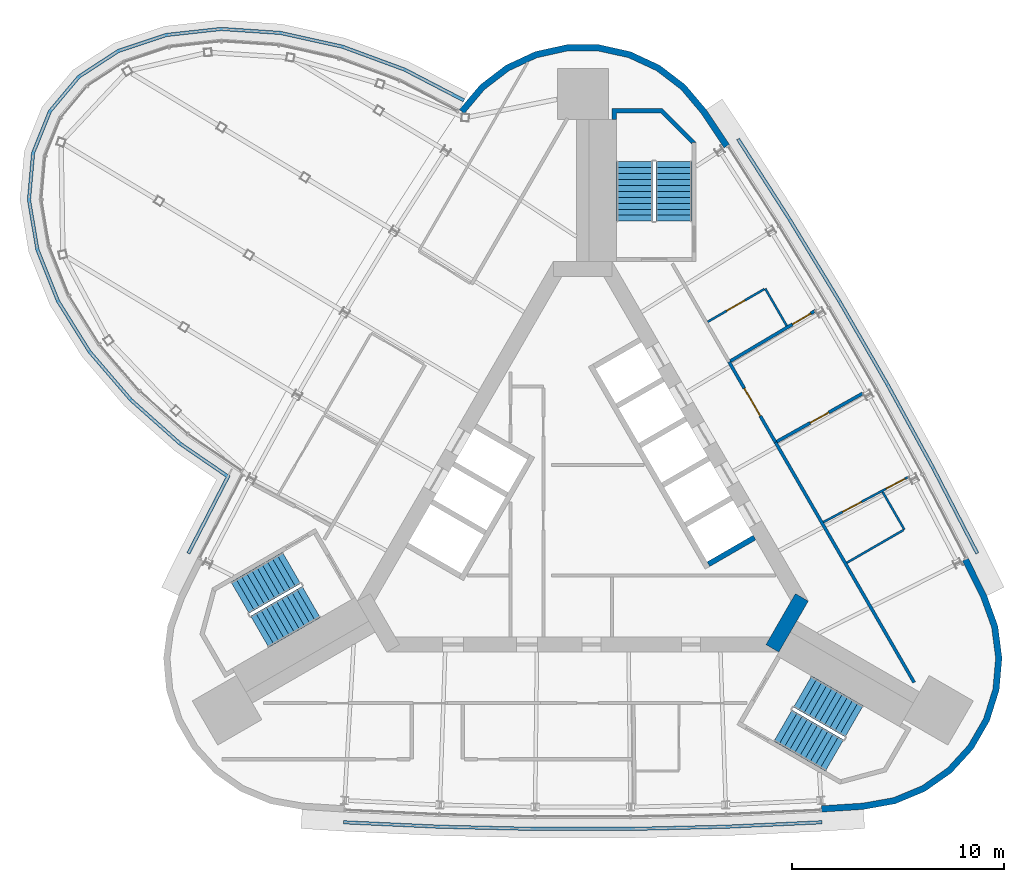
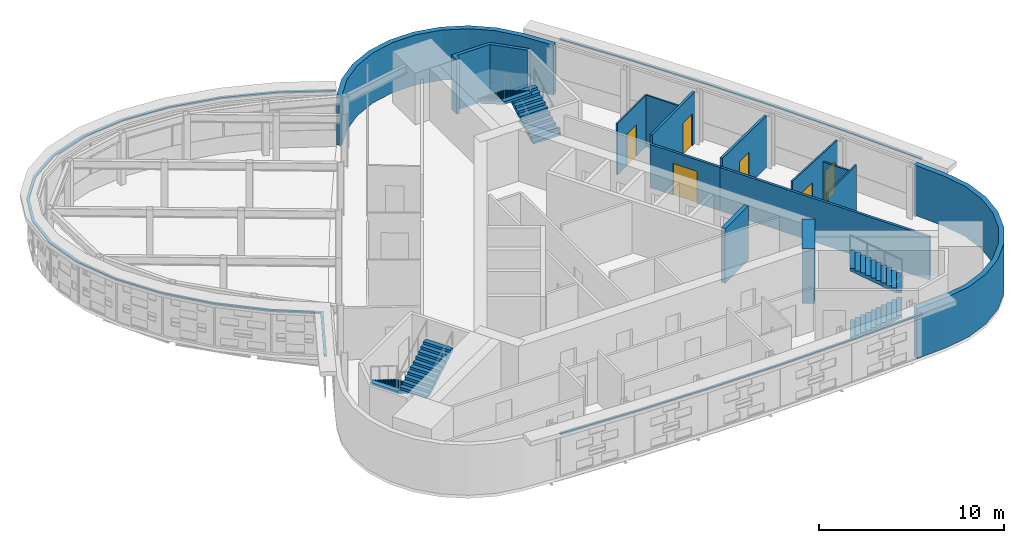
# One storey, part 11 of 13: 14 walls, 6 doors, 6 stair flights, 3 discrete accessories, 6 openings, 3 elements without a shape of their own.
"""IFC4 building model written with IfcOpenShell, lengths in metres."""

from ifc_helpers import new_model, si_unit, direction, frame, frame_2d, origin, place, context, subcontext, project, spatial, polyline, rectangle, outline, extrude, material, layer, layer_set, type_object, element, fill, aggregate, save


model = new_model("IFC4")

# Units and contexts
model_context = context("Model", 3, precision=1e-05, world=origin(), true_north=direction((0.0, 1.0)))
body_context = subcontext(model_context, "Body", "Model", "MODEL_VIEW")
ifc_project = project(units=[si_unit("LENGTHUNIT", "METRE"), si_unit("AREAUNIT", "SQUARE_METRE"), si_unit("VOLUMEUNIT", "CUBIC_METRE"), si_unit("PLANEANGLEUNIT", "RADIAN"), si_unit("MASSUNIT", "GRAM", prefix="KILO")], contexts=[model_context])

# Site, building, storey
site_placement = place(None, origin())
site = spatial("IfcSite", under=ifc_project, at=site_placement, CompositionType="ELEMENT")
building_placement = place(site_placement, origin())
building = spatial("IfcBuilding", under=site, at=building_placement, Name="Noor Cloister Tower", CompositionType="ELEMENT")
storey_placement = place(building_placement, frame((0.0, 0.0, 270.60009765625)))
storey = spatial("IfcBuildingStorey", under=building, at=storey_placement, Name="L69", CompositionType="ELEMENT", Elevation=270.60009765625)

# Walls
ifc_material_1 = material(Name="Concrete C60/75", Category="concrete")
ifc_layer_1 = layer(ifc_material_1, 0.699951171875)
ifc_layer_set_1 = layer_set([ifc_layer_1], Name="Core wall 700 C60/75")
wall_type_1 = type_object("IfcWallType", Name="Core wall 700 C60/75", PredefinedType="SHEAR", material=ifc_layer_set_1)
wall_1_placement = place(storey_placement, frame((8.925537109375, -6.753173828125, -0.2001953125), z_axis=(0.0, 0.0, 1.0), x_axis=(0.500042739161, 0.866000726912, 0.0)))
element("IfcWall", 1, at=wall_1_placement, inside=storey, type_object=wall_type_1, Name="Core wall L69 2", PredefinedType="SHEAR", context=body_context, shape_type="SweptSolid", body=[
    extrude(rectangle(XDim=2.771240234375, YDim=0.699951171875, at=frame_2d((1.3857421875, 0.0))), origin(), (0.0, 0.0, 1.0), 3.60009765625),
])
ifc_material_2 = material(Name="Gypsum board partition on steel studs, 150 mm", Category="steel")
ifc_layer_2 = layer(ifc_material_2, 0.14990234375)
ifc_layer_set_2 = layer_set([ifc_layer_2], Name="Flat wall 150")
wall_type_2 = type_object("IfcWallType", Name="Flat wall 150", PredefinedType="PARTITIONING", material=ifc_layer_set_2)
wall_2_placement = place(storey_placement, frame((15.59619140625, -8.356689453125, 0.0), z_axis=(0.0, 0.0, 1.0), x_axis=(-0.500010741103, 0.866019202317, 0.0)))
element("IfcWall", 2, at=wall_2_placement, inside=storey, type_object=wall_type_2, Name="Wall L69-W01", PredefinedType="PARTITIONING", context=body_context, shape_type="SweptSolid", body=[
    extrude(rectangle(XDim=13.048583984375, YDim=0.14990234375, at=frame_2d((6.5244140625, 0.0))), origin(), (0.0, 0.0, 1.0), 2.851806640625),
])

# Wall, opening, door
wall_3_placement = place(storey_placement, frame((13.208984375, 5.2685546875, 0.0), z_axis=(0.0, 0.0, 1.0), x_axis=(-0.871762529681, -0.489928659953, 0.0)))
wall_3 = element("IfcWall", 3, at=wall_3_placement, inside=storey, type_object=wall_type_2, Name="Wall L69-W03", PredefinedType="PARTITIONING", context=body_context, shape_type="SweptSolid", body=[
    extrude(rectangle(XDim=4.670654296875, YDim=0.14990234375, at=frame_2d((2.33544921875, 0.0))), origin(), (0.0, 0.0, 1.0), 3.39990234375),
])
opening_1_placement = place(wall_3_placement, frame((1.872802734375, 0.0, 0.0)))
opening_1 = element("IfcOpeningElement", 4, at=opening_1_placement, cuts=wall_3, Name="Opening L69-004", PredefinedType="OPENING", context=body_context, shape_type="SweptSolid", body=[
    extrude(rectangle(XDim=1.0, YDim=2.10009765625, at=frame_2d((0.5, 1.050048828125))), frame((0.0, 0.0849609375, 0.0), z_axis=(0.0, -1.0, 0.0), x_axis=(1.0, 0.0, 0.0)), (0.0, 0.0, 1.0), 0.169921875),
])
ifc_material_3 = material(Name="Timber door leaf with steel frame", Category="steel")
door_type_1 = type_object("IfcDoorType", Name="Flat entrance door 1000", OperationType="NOTDEFINED", PredefinedType="DOOR", material=ifc_material_3)
door_1_placement = place(opening_1_placement, origin())
door_1 = element("IfcDoor", 5, at=door_1_placement, inside=storey, type_object=door_type_1, Name="Door L69-004", OperationType="SINGLE_SWING_RIGHT", OverallHeight=2.10009765625, OverallWidth=1.0, PredefinedType="DOOR", context=body_context, shape_type="SweptSolid", body=[
    extrude(rectangle(XDim=1.0, YDim=2.10009765625, at=frame_2d((0.5, 1.050048828125))), frame((0.0, 0.02490234375, 0.0), z_axis=(0.0, -1.0, 0.0), x_axis=(1.0, 0.0, 0.0)), (0.0, 0.0, 1.0), 0.050048828125),
])
fill(opening_1, door_1)

wall_4_placement = place(storey_placement, frame((10.963134765625, 9.149169921875, 0.0), z_axis=(0.0, 0.0, 1.0), x_axis=(-0.860158922337, -0.510026105532, 0.0)))
wall_4 = element("IfcWall", 6, at=wall_4_placement, inside=storey, type_object=wall_type_2, Name="Wall L69-W04", PredefinedType="PARTITIONING", context=body_context, shape_type="SweptSolid", body=[
    extrude(rectangle(XDim=4.666259765625, YDim=0.14990234375, at=frame_2d((2.3330078125, 0.0))), origin(), (0.0, 0.0, 1.0), 3.39990234375),
])
opening_2_placement = place(wall_4_placement, frame((0.270263671875, 0.0, 0.0)))
opening_2 = element("IfcOpeningElement", 7, at=opening_2_placement, cuts=wall_4, Name="Opening L69-006", PredefinedType="OPENING", context=body_context, shape_type="SweptSolid", body=[
    extrude(rectangle(XDim=1.0, YDim=2.10009765625, at=frame_2d((0.5, 1.050048828125))), frame((0.0, 0.0849609375, 0.0), z_axis=(0.0, -1.0, 0.0), x_axis=(1.0, 0.0, 0.0)), (0.0, 0.0, 1.0), 0.169921875),
])
door_2_placement = place(opening_2_placement, origin())
door_2 = element("IfcDoor", 8, at=door_2_placement, inside=storey, type_object=door_type_1, Name="Door L69-006", OperationType="SINGLE_SWING_RIGHT", OverallHeight=2.10009765625, OverallWidth=1.0, PredefinedType="DOOR", context=body_context, shape_type="SweptSolid", body=[
    extrude(rectangle(XDim=1.0, YDim=2.10009765625, at=frame_2d((0.5, 1.050048828125))), frame((0.0, 0.02490234375, 0.0), z_axis=(0.0, -1.0, 0.0), x_axis=(1.0, 0.0, 0.0)), (0.0, 0.0, 1.0), 0.050048828125),
])
fill(opening_2, door_2)

wall_5_placement = place(storey_placement, frame((9.07177734375, 2.943603515625, 0.0), z_axis=(0.0, 0.0, 1.0), x_axis=(-0.499999494409, 0.866025695687, 0.0)))
wall_5 = element("IfcWall", 9, at=wall_5_placement, inside=storey, type_object=wall_type_2, Name="Wall L69-W05", PredefinedType="PARTITIONING", context=body_context, shape_type="SweptSolid", body=[
    extrude(rectangle(XDim=4.37353515625, YDim=0.14990234375, at=frame_2d((2.186767578125, 0.0))), origin(), (0.0, 0.0, 1.0), 2.851806640625),
])
opening_3_placement = place(wall_5_placement, frame((1.436767578125, 0.0, 0.0)))
opening_3 = element("IfcOpeningElement", 10, at=opening_3_placement, cuts=wall_5, Name="Opening L69-001", PredefinedType="OPENING", context=body_context, shape_type="SweptSolid", body=[
    extrude(rectangle(XDim=1.5, YDim=2.10009765625, at=frame_2d((0.75, 1.050048828125))), frame((0.0, 0.0849609375, 0.0), z_axis=(0.0, -1.0, 0.0), x_axis=(1.0, 0.0, 0.0)), (0.0, 0.0, 1.0), 0.169921875),
])
ifc_material_4 = material(Name="Timber door leaf with steel frame", Category="steel")
door_type_2 = type_object("IfcDoorType", Name="Double door 1500 FD60", OperationType="NOTDEFINED", PredefinedType="DOOR", material=ifc_material_4)
door_3_placement = place(opening_3_placement, origin())
door_3 = element("IfcDoor", 11, at=door_3_placement, inside=storey, type_object=door_type_2, Name="Door L69-001", OperationType="DOUBLE_DOOR_SINGLE_SWING", OverallHeight=2.10009765625, OverallWidth=1.5, PredefinedType="DOOR", context=body_context, shape_type="SweptSolid", body=[
    extrude(rectangle(XDim=1.5, YDim=2.10009765625, at=frame_2d((0.75, 1.050048828125))), frame((0.0, 0.02490234375, 0.0), z_axis=(0.0, -1.0, 0.0), x_axis=(1.0, 0.0, 0.0)), (0.0, 0.0, 1.0), 0.050048828125),
])
fill(opening_3, door_3)

# Walls
ifc_material_5 = material(Name="Limestone", Category="masonry")
ifc_layer_3 = layer(ifc_material_5, 0.300048828125)
ifc_layer_set_3 = layer_set([ifc_layer_3], Name="Limestone cladding 300")
wall_type_3 = type_object("IfcWallType", Name="Limestone cladding 300", PredefinedType="NOTDEFINED", material=ifc_layer_set_3)
wall_6_placement = place(storey_placement, origin())
element("IfcWall", 12, at=wall_6_placement, inside=storey, type_object=wall_type_3, Name="Limestone pier cladding L69 2.1", PredefinedType="NOTDEFINED", context=body_context, shape_type="SweptSolid", body=[
    extrude(outline(polyline([(11.24365234375, -14.46044921875), (13.21142578125, -14.336181640625), (14.707763671875, -14.068603515625), (16.11083984375, -13.484619140625), (17.35498046875, -12.611083984375), (18.381103515625, -11.489990234375), (19.14111328125, -10.173583984375), (19.59912109375, -8.724365234375), (19.7333984375, -7.210205078125), (19.53759765625, -5.702880859375), (19.021240234375, -4.2734375), (18.14501953125, -2.507080078125), (17.876220703125, -2.640380859375), (18.744873046875, -4.391357421875), (19.244384765625, -5.77392578125), (19.431640625, -7.21630859375), (19.30322265625, -8.6650390625), (18.864990234375, -10.052001953125), (18.1376953125, -11.3115234375), (17.15576171875, -12.384521484375), (15.96533203125, -13.22021484375), (14.62255859375, -13.779052734375), (13.175537109375, -14.037841796875), (11.224853515625, -14.1611328125), (11.24365234375, -14.46044921875)])), origin(), (0.0, 0.0, 1.0), 3.2998046875),
])
wall_7_placement = place(storey_placement, origin())
element("IfcWall", 13, at=wall_7_placement, inside=storey, type_object=wall_type_3, Name="Limestone pier cladding L69 3.1", PredefinedType="NOTDEFINED", context=body_context, shape_type="SweptSolid", body=[
    extrude(outline(polyline([(6.9013671875, 16.967529296875), (5.809814453125, 18.609619140625), (4.830078125, 19.771484375), (3.62255859375, 20.69482421875), (2.244140625, 21.33544921875), (0.760009765625, 21.66357421875), (-0.760009765625, 21.66357421875), (-2.244140625, 21.33544921875), (-3.62255859375, 20.69482421875), (-4.830078125, 19.771484375), (-5.809814453125, 18.609619140625), (-5.580322265625, 18.416259765625), (-4.621826171875, 19.55322265625), (-3.46630859375, 20.4365234375), (-2.1474609375, 21.049560546875), (-0.727294921875, 21.363525390625), (0.727294921875, 21.363525390625), (2.1474609375, 21.049560546875), (3.46630859375, 20.4365234375), (4.621826171875, 19.55322265625), (5.5693359375, 18.42919921875), (6.6513671875, 16.801513671875), (6.9013671875, 16.967529296875)])), origin(), (0.0, 0.0, 1.0), 3.2998046875),
])

# Wall, openings, doors
ifc_material_6 = material(Name="Gypsum board partition on steel studs, 100 mm", Category="steel")
ifc_layer_4 = layer(ifc_material_6, 0.10009765625)
ifc_layer_set_4 = layer_set([ifc_layer_4], Name="Partition 100")
wall_type_4 = type_object("IfcWallType", Name="Partition 100", PredefinedType="PARTITIONING", material=ifc_layer_set_4)
wall_8_placement = place(storey_placement, frame((15.364013671875, 1.3369140625, 0.0), z_axis=(0.0, 0.0, 1.0), x_axis=(-0.882891694615, -0.469576676997, 0.0)))
wall_8 = element("IfcWall", 14, at=wall_8_placement, inside=storey, type_object=wall_type_4, Name="Wall L69-W06", PredefinedType="PARTITIONING", context=body_context, shape_type="SweptSolid", body=[
    extrude(rectangle(XDim=4.57373046875, YDim=0.10009765625, at=frame_2d((2.286865234375, 0.0))), origin(), (0.0, 0.0, 1.0), 3.39990234375),
])
opening_4_placement = place(wall_8_placement, frame((0.223388671875, 0.0, 0.0)))
opening_4 = element("IfcOpeningElement", 15, at=opening_4_placement, cuts=wall_8, Name="Opening L69-002", PredefinedType="OPENING", context=body_context, shape_type="SweptSolid", body=[
    extrude(rectangle(XDim=1.0, YDim=2.10009765625, at=frame_2d((0.5, 1.050048828125))), frame((0.0, 0.06005859375, 0.0), z_axis=(0.0, -1.0, 0.0), x_axis=(1.0, 0.0, 0.0)), (0.0, 0.0, 1.0), 0.1201171875),
])
opening_5_placement = place(wall_8_placement, frame((2.5478515625, 0.0, 0.0)))
opening_5 = element("IfcOpeningElement", 16, at=opening_5_placement, cuts=wall_8, Name="Opening L69-003", PredefinedType="OPENING", context=body_context, shape_type="SweptSolid", body=[
    extrude(rectangle(XDim=1.0, YDim=2.10009765625, at=frame_2d((0.5, 1.050048828125))), frame((0.0, 0.06005859375, 0.0), z_axis=(0.0, -1.0, 0.0), x_axis=(1.0, 0.0, 0.0)), (0.0, 0.0, 1.0), 0.1201171875),
])
ifc_material_7 = material(Name="Timber door leaf with steel frame", Category="steel")
door_type_3 = type_object("IfcDoorType", Name="Interior door 1000", OperationType="NOTDEFINED", PredefinedType="DOOR", material=ifc_material_7)
door_4_placement = place(opening_4_placement, origin())
door_4 = element("IfcDoor", 17, at=door_4_placement, inside=storey, type_object=door_type_3, Name="Door L69-002", OperationType="SINGLE_SWING_RIGHT", OverallHeight=2.10009765625, OverallWidth=1.0, PredefinedType="DOOR", context=body_context, shape_type="SweptSolid", body=[
    extrude(rectangle(XDim=1.0, YDim=2.10009765625, at=frame_2d((0.5, 1.050048828125))), frame((0.0, 0.02490234375, 0.0), z_axis=(0.0, -1.0, 0.0), x_axis=(1.0, 0.0, 0.0)), (0.0, 0.0, 1.0), 0.050048828125),
])
fill(opening_4, door_4)
door_5_placement = place(opening_5_placement, origin())
door_5 = element("IfcDoor", 18, at=door_5_placement, inside=storey, type_object=door_type_3, Name="Door L69-003", OperationType="SINGLE_SWING_LEFT", OverallHeight=2.10009765625, OverallWidth=1.0, PredefinedType="DOOR", context=body_context, shape_type="SweptSolid", body=[
    extrude(rectangle(XDim=1.0, YDim=2.10009765625, at=frame_2d((0.5, 1.050048828125))), frame((0.0, 0.02490234375, 0.0), z_axis=(0.0, -1.0, 0.0), x_axis=(1.0, 0.0, 0.0)), (0.0, 0.0, 1.0), 0.050048828125),
])
fill(opening_5, door_5)

# Walls
wall_9_placement = place(storey_placement, frame((14.11181640625, 0.614013671875, 0.0), z_axis=(0.0, 0.0, 1.0), x_axis=(0.500007699544, -0.866020958405, 0.0)))
element("IfcWall", 19, at=wall_9_placement, inside=storey, type_object=wall_type_4, Name="Wall L69-W07", PredefinedType="PARTITIONING", context=body_context, shape_type="SweptSolid", body=[
    extrude(rectangle(XDim=2.0498046875, YDim=0.10009765625, at=frame_2d((1.02490234375, 0.0))), origin(), (0.0, 0.0, 1.0), 2.851806640625),
])
wall_10_placement = place(storey_placement, frame((15.093505859375, -1.186279296875, 0.0), z_axis=(0.0, 0.0, 1.0), x_axis=(-0.866050731258, -0.499956128963, 0.0)))
element("IfcWall", 20, at=wall_10_placement, inside=storey, type_object=wall_type_4, Name="Wall L69-W08", PredefinedType="PARTITIONING", context=body_context, shape_type="SweptSolid", body=[
    extrude(rectangle(XDim=3.074951171875, YDim=0.10009765625, at=frame_2d((1.53759765625, 0.0))), origin(), (0.0, 0.0, 1.0), 3.39990234375),
])
wall_11_placement = place(storey_placement, frame((9.600341796875, 8.42822265625, 0.0), z_axis=(0.0, 0.0, 1.0), x_axis=(-0.499990325971, 0.866030989016, 0.0)))
element("IfcWall", 21, at=wall_11_placement, inside=storey, type_object=wall_type_4, Name="Wall L69-W09", PredefinedType="PARTITIONING", context=body_context, shape_type="SweptSolid", body=[
    extrude(rectangle(XDim=2.02490234375, YDim=0.10009765625, at=frame_2d((1.012451171875, 0.0))), origin(), (0.0, 0.0, 1.0), 3.39990234375),
])

# Wall, opening, door
wall_12_placement = place(storey_placement, frame((8.54443359375, 10.156982421875, 0.0), z_axis=(0.0, 0.0, 1.0), x_axis=(-0.866016353143, -0.500015675843, 0.0)))
wall_12 = element("IfcWall", 22, at=wall_12_placement, inside=storey, type_object=wall_type_4, Name="Wall L69-W10", PredefinedType="PARTITIONING", context=body_context, shape_type="SweptSolid", body=[
    extrude(rectangle(XDim=3.0751953125, YDim=0.10009765625, at=frame_2d((1.53759765625, 0.0))), origin(), (0.0, 0.0, 1.0), 3.39990234375),
])
opening_6_placement = place(wall_12_placement, frame((1.050048828125, 0.0, 0.0)))
opening_6 = element("IfcOpeningElement", 23, at=opening_6_placement, cuts=wall_12, Name="Opening L69-005", PredefinedType="OPENING", context=body_context, shape_type="SweptSolid", body=[
    extrude(rectangle(XDim=1.0, YDim=2.10009765625, at=frame_2d((0.5, 1.050048828125))), frame((0.0, 0.06005859375, 0.0), z_axis=(0.0, -1.0, 0.0), x_axis=(1.0, 0.0, 0.0)), (0.0, 0.0, 1.0), 0.1201171875),
])
door_6_placement = place(opening_6_placement, origin())
door_6 = element("IfcDoor", 24, at=door_6_placement, inside=storey, type_object=door_type_3, Name="Door L69-005", OperationType="SINGLE_SWING_LEFT", OverallHeight=2.10009765625, OverallWidth=1.0, PredefinedType="DOOR", context=body_context, shape_type="SweptSolid", body=[
    extrude(rectangle(XDim=1.0, YDim=2.10009765625, at=frame_2d((0.5, 1.050048828125))), frame((0.0, 0.02490234375, 0.0), z_axis=(0.0, -1.0, 0.0), x_axis=(1.0, 0.0, 0.0)), (0.0, 0.0, 1.0), 0.050048828125),
])
fill(opening_6, door_6)

# Walls
ifc_material_8 = material(Name="Concrete C60/75", Category="concrete")
ifc_layer_5 = layer(ifc_material_8, 0.25)
ifc_layer_set_5 = layer_set([ifc_layer_5], Name="Shaft wall 250 C60/75")
wall_type_5 = type_object("IfcWallType", Name="Shaft wall 250 C60/75", PredefinedType="PARTITIONING", material=ifc_layer_set_5)
wall_13_placement = place(storey_placement, frame((8.081298828125, -1.540771484375, -0.2001953125), z_axis=(0.0, 0.0, 1.0), x_axis=(-0.866022959057, -0.500004234368, 0.0)))
element("IfcWall", 25, at=wall_13_placement, inside=storey, type_object=wall_type_5, Name="Lift shaft wall L69 NE 1", PredefinedType="PARTITIONING", context=body_context, shape_type="SweptSolid", body=[
    extrude(rectangle(XDim=2.5, YDim=0.25, at=frame_2d((1.25, 0.0))), origin(), (0.0, 0.0, 1.0), 3.60009765625),
])
ifc_material_9 = material(Name="Concrete C60/75", Category="concrete")
wall_type_6 = type_object("IfcWallType", Name="Stair far end wall C60/75", PredefinedType="SHEAR", material=ifc_material_9)
wall_14_placement = place(storey_placement, frame((0.0, 0.0, -0.2001953125)))
element("IfcWall", 26, at=wall_14_placement, inside=storey, type_object=wall_type_6, Name="Stair enclosure wall ST1 L69 far end", PredefinedType="SHEAR", context=body_context, shape_type="SweptSolid", body=[
    extrude(outline(polyline([(5.335693359375, 17.056396484375), (3.735595703125, 18.656494140625), (1.385498046875, 18.656494140625), (1.385498046875, 18.135009765625), (1.585693359375, 18.135009765625), (1.585693359375, 18.456298828125), (3.65283203125, 18.456298828125), (5.135498046875, 16.9736328125), (5.135498046875, 17.056396484375), (5.135498046875, 17.056396484375), (5.135498046875, 17.056396484375), (5.135498046875, 17.056396484375), (5.135498046875, 17.056396484375), (5.135498046875, 17.056396484375), (5.135498046875, 17.056396484375), (5.135498046875, 17.056396484375), (5.135498046875, 17.056396484375), (5.135498046875, 17.056396484375), (5.135498046875, 17.056396484375), (5.135498046875, 17.056396484375), (5.135498046875, 17.056396484375), (5.135498046875, 17.056396484375), (5.135498046875, 17.056396484375), (5.135498046875, 17.056396484375), (5.135498046875, 17.056396484375), (5.335693359375, 17.056396484375)])), origin(), (0.0, 0.0, 1.0), 3.60009765625),
])

# Stair, stair flights
ifc_material_10 = material(Name="Concrete C40/50", Category="concrete")
stair_type = type_object("IfcStairType", Name="Exit stair 22 risers", PredefinedType="HALF_TURN_STAIR", material=ifc_material_10)
stair_1_placement = place(storey_placement, origin())
stair_1 = element("IfcStair", 27, at=stair_1_placement, inside=storey, type_object=stair_type, Name="Exit stair ST1 L69", PredefinedType="HALF_TURN_STAIR")
ifc_material_11 = material(Name="Concrete C40/50", Category="concrete")
stair_flight_type = type_object("IfcStairFlightType", Name="Exit stair flight", PredefinedType="STRAIGHT", material=ifc_material_11)
stair_flight_1_placement = place(storey_placement, frame((4.28564453125, 13.3564453125, 0.0), z_axis=(0.0, 0.0, 1.0), x_axis=(0.0, 1.0, 0.0)))
stair_flight_1 = element("IfcStairFlight", 28, at=stair_flight_1_placement, type_object=stair_flight_type, Name="ST1 flight 1", NumberOfRisers=11, NumberOfTreads=10, PredefinedType="STRAIGHT", RiserHeight=0.163636364, TreadLength=0.28, context=body_context, shape_type="SweptSolid", body=[
    extrude(outline(polyline([(0.0, 0.0), (0.0, 0.16357421875), (0.280029296875, 0.16357421875), (0.280029296875, 0.327392578125), (0.56005859375, 0.327392578125), (0.56005859375, 0.490966796875), (0.840087890625, 0.490966796875), (0.840087890625, 0.654541015625), (1.1201171875, 0.654541015625), (1.1201171875, 0.818115234375), (1.39990234375, 0.818115234375), (1.39990234375, 0.98193359375), (1.679931640625, 0.98193359375), (1.679931640625, 1.1455078125), (1.9599609375, 1.1455078125), (1.9599609375, 1.30908203125), (2.239990234375, 1.30908203125), (2.239990234375, 1.47265625), (2.52001953125, 1.47265625), (2.52001953125, 1.636474609375), (2.800048828125, 1.636474609375), (2.800048828125, 1.800048828125), (2.800048828125, 1.462646484375), (0.297119140625, 0.0), (0.0, 0.0)])), frame((0.0, 0.85009765625, 0.0), z_axis=(0.0, -1.0, 0.0), x_axis=(1.0, 0.0, 0.0)), (0.0, 0.0, 1.0), 1.699951171875),
])
stair_flight_2_placement = place(storey_placement, frame((2.435546875, 16.156494140625, 1.7998046875), z_axis=(0.0, 0.0, 1.0), x_axis=(0.0, -1.0, 0.0)))
stair_flight_2 = element("IfcStairFlight", 29, at=stair_flight_2_placement, type_object=stair_flight_type, Name="ST1 flight 2", NumberOfRisers=11, NumberOfTreads=10, PredefinedType="STRAIGHT", RiserHeight=0.163636364, TreadLength=0.28, context=body_context, shape_type="SweptSolid", body=[
    extrude(outline(polyline([(0.0, 0.0), (0.0, 0.16357421875), (0.280029296875, 0.16357421875), (0.280029296875, 0.327392578125), (0.56005859375, 0.327392578125), (0.56005859375, 0.490966796875), (0.840087890625, 0.490966796875), (0.840087890625, 0.654541015625), (1.1201171875, 0.654541015625), (1.1201171875, 0.818115234375), (1.39990234375, 0.818115234375), (1.39990234375, 0.98193359375), (1.679931640625, 0.98193359375), (1.679931640625, 1.1455078125), (1.9599609375, 1.1455078125), (1.9599609375, 1.30908203125), (2.239990234375, 1.30908203125), (2.239990234375, 1.47265625), (2.52001953125, 1.47265625), (2.52001953125, 1.636474609375), (2.800048828125, 1.636474609375), (2.800048828125, 1.800048828125), (2.800048828125, 1.462646484375), (0.297119140625, 0.0), (0.0, 0.0)])), frame((0.0, 0.85009765625, 0.0), z_axis=(0.0, -1.0, 0.0), x_axis=(1.0, 0.0, 0.0)), (0.0, 0.0, 1.0), 1.699951171875),
])
aggregate(stair_1, [stair_flight_1, stair_flight_2])

stair_2_placement = place(storey_placement, origin())
stair_2 = element("IfcStair", 30, at=stair_2_placement, inside=storey, type_object=stair_type, Name="Exit stair ST2 L69", PredefinedType="HALF_TURN_STAIR")
stair_flight_3_placement = place(storey_placement, frame((-13.709716796875, -2.966796875, 0.0), z_axis=(0.0, 0.0, 1.0), x_axis=(-0.866025403784, -0.5, 0.0)))
stair_flight_3 = element("IfcStairFlight", 31, at=stair_flight_3_placement, type_object=stair_flight_type, Name="ST2 flight 1", NumberOfRisers=11, NumberOfTreads=10, PredefinedType="STRAIGHT", RiserHeight=0.163636364, TreadLength=0.28, context=body_context, shape_type="SweptSolid", body=[
    extrude(outline(polyline([(0.0, 0.0), (0.0, 0.16357421875), (0.280029296875, 0.16357421875), (0.280029296875, 0.327392578125), (0.56005859375, 0.327392578125), (0.56005859375, 0.490966796875), (0.840087890625, 0.490966796875), (0.840087890625, 0.654541015625), (1.1201171875, 0.654541015625), (1.1201171875, 0.818115234375), (1.39990234375, 0.818115234375), (1.39990234375, 0.98193359375), (1.679931640625, 0.98193359375), (1.679931640625, 1.1455078125), (1.9599609375, 1.1455078125), (1.9599609375, 1.30908203125), (2.239990234375, 1.30908203125), (2.239990234375, 1.47265625), (2.52001953125, 1.47265625), (2.52001953125, 1.636474609375), (2.800048828125, 1.636474609375), (2.800048828125, 1.800048828125), (2.800048828125, 1.462646484375), (0.297119140625, 0.0), (0.0, 0.0)])), frame((0.0, 0.85009765625, 0.0), z_axis=(0.0, -1.0, 0.0), x_axis=(1.0, 0.0, 0.0)), (0.0, 0.0, 1.0), 1.699951171875),
])
stair_flight_4_placement = place(storey_placement, frame((-15.209716796875, -5.968994140625, 1.7998046875), z_axis=(0.0, 0.0, 1.0), x_axis=(0.866025403784, 0.5, 0.0)))
stair_flight_4 = element("IfcStairFlight", 32, at=stair_flight_4_placement, type_object=stair_flight_type, Name="ST2 flight 2", NumberOfRisers=11, NumberOfTreads=10, PredefinedType="STRAIGHT", RiserHeight=0.163636364, TreadLength=0.28, context=body_context, shape_type="SweptSolid", body=[
    extrude(outline(polyline([(0.0, 0.0), (0.0, 0.16357421875), (0.280029296875, 0.16357421875), (0.280029296875, 0.327392578125), (0.56005859375, 0.327392578125), (0.56005859375, 0.490966796875), (0.840087890625, 0.490966796875), (0.840087890625, 0.654541015625), (1.1201171875, 0.654541015625), (1.1201171875, 0.818115234375), (1.39990234375, 0.818115234375), (1.39990234375, 0.98193359375), (1.679931640625, 0.98193359375), (1.679931640625, 1.1455078125), (1.9599609375, 1.1455078125), (1.9599609375, 1.30908203125), (2.239990234375, 1.30908203125), (2.239990234375, 1.47265625), (2.52001953125, 1.47265625), (2.52001953125, 1.636474609375), (2.800048828125, 1.636474609375), (2.800048828125, 1.800048828125), (2.800048828125, 1.462646484375), (0.297119140625, 0.0), (0.0, 0.0)])), frame((0.0, 0.85009765625, 0.0), z_axis=(0.0, -1.0, 0.0), x_axis=(1.0, 0.0, 0.0)), (0.0, 0.0, 1.0), 1.699951171875),
])
aggregate(stair_2, [stair_flight_3, stair_flight_4])

stair_3_placement = place(storey_placement, origin())
stair_3 = element("IfcStair", 33, at=stair_3_placement, inside=storey, type_object=stair_type, Name="Exit stair ST3 L69", PredefinedType="HALF_TURN_STAIR")
stair_flight_5_placement = place(storey_placement, frame((9.424072265625, -10.3896484375, 0.0), z_axis=(0.0, 0.0, 1.0), x_axis=(0.866025403784, -0.5, 0.0)))
stair_flight_5 = element("IfcStairFlight", 34, at=stair_flight_5_placement, type_object=stair_flight_type, Name="ST3 flight 1", NumberOfRisers=11, NumberOfTreads=10, PredefinedType="STRAIGHT", RiserHeight=0.163636364, TreadLength=0.28, context=body_context, shape_type="SweptSolid", body=[
    extrude(outline(polyline([(0.0, 0.0), (0.0, 0.16357421875), (0.280029296875, 0.16357421875), (0.280029296875, 0.327392578125), (0.56005859375, 0.327392578125), (0.56005859375, 0.490966796875), (0.840087890625, 0.490966796875), (0.840087890625, 0.654541015625), (1.1201171875, 0.654541015625), (1.1201171875, 0.818115234375), (1.39990234375, 0.818115234375), (1.39990234375, 0.98193359375), (1.679931640625, 0.98193359375), (1.679931640625, 1.1455078125), (1.9599609375, 1.1455078125), (1.9599609375, 1.30908203125), (2.239990234375, 1.30908203125), (2.239990234375, 1.47265625), (2.52001953125, 1.47265625), (2.52001953125, 1.636474609375), (2.800048828125, 1.636474609375), (2.800048828125, 1.800048828125), (2.800048828125, 1.462646484375), (0.297119140625, 0.0), (0.0, 0.0)])), frame((0.0, 0.85009765625, 0.0), z_axis=(0.0, -1.0, 0.0), x_axis=(1.0, 0.0, 0.0)), (0.0, 0.0, 1.0), 1.699951171875),
])
stair_flight_6_placement = place(storey_placement, frame((12.77392578125, -10.1875, 1.7998046875), z_axis=(0.0, 0.0, 1.0), x_axis=(-0.866025403784, 0.5, 0.0)))
stair_flight_6 = element("IfcStairFlight", 35, at=stair_flight_6_placement, type_object=stair_flight_type, Name="ST3 flight 2", NumberOfRisers=11, NumberOfTreads=10, PredefinedType="STRAIGHT", RiserHeight=0.163636364, TreadLength=0.28, context=body_context, shape_type="SweptSolid", body=[
    extrude(outline(polyline([(0.0, 0.0), (0.0, 0.16357421875), (0.280029296875, 0.16357421875), (0.280029296875, 0.327392578125), (0.56005859375, 0.327392578125), (0.56005859375, 0.490966796875), (0.840087890625, 0.490966796875), (0.840087890625, 0.654541015625), (1.1201171875, 0.654541015625), (1.1201171875, 0.818115234375), (1.39990234375, 0.818115234375), (1.39990234375, 0.98193359375), (1.679931640625, 0.98193359375), (1.679931640625, 1.1455078125), (1.9599609375, 1.1455078125), (1.9599609375, 1.30908203125), (2.239990234375, 1.30908203125), (2.239990234375, 1.47265625), (2.52001953125, 1.47265625), (2.52001953125, 1.636474609375), (2.800048828125, 1.636474609375), (2.800048828125, 1.800048828125), (2.800048828125, 1.462646484375), (0.297119140625, 0.0), (0.0, 0.0)])), frame((0.0, 0.85009765625, 0.0), z_axis=(0.0, -1.0, 0.0), x_axis=(1.0, 0.0, 0.0)), (0.0, 0.0, 1.0), 1.699951171875),
])
aggregate(stair_3, [stair_flight_5, stair_flight_6])

# Discrete accessories
ifc_material_12 = material(Name="Stainless steel grade 316", Category="steel")
discrete_accessory_type = type_object("IfcDiscreteAccessoryType", Name="Stainless hanger rail", PredefinedType="BRACKET", material=ifc_material_12)
discrete_accessory_1_placement = place(storey_placement, frame((0.0, 0.0, 3.199951171875)))
element("IfcDiscreteAccessory", 36, at=discrete_accessory_1_placement, inside=storey, type_object=discrete_accessory_type, Name="Hanger rail L69", PredefinedType="BRACKET", context=body_context, shape_type="SweptSolid", body=[
    extrude(outline(polyline([(-5.5517578125, 19.106689453125), (-8.3583984375, 20.56396484375), (-11.293212890625, 21.64599609375), (-14.21826171875, 22.295166015625), (-17.02783203125, 22.484130859375), (-19.620849609375, 22.198486328125), (-21.9013671875, 21.4375), (-23.775634765625, 20.215087890625), (-25.151123046875, 18.5712890625), (-25.95361328125, 16.583984375), (-26.1494140625, 14.35498046875), (-25.7470703125, 11.984619140625), (-24.778076171875, 9.5625), (-23.288818359375, 7.1728515625), (-21.338623046875, 4.89794921875), (-19.00244140625, 2.818359375), (-16.802734375, 1.30810546875), (-18.642333984375, -2.25), (-18.500244140625, -2.323486328125), (-16.595703125, 1.360107421875), (-18.903564453125, 2.944580078125), (-21.224365234375, 5.01025390625), (-23.159423828125, 7.267578125), (-24.634765625, 9.63525390625), (-25.59228515625, 12.0283203125), (-25.98828125, 14.361328125), (-25.79638671875, 16.546142578125), (-25.01220703125, 18.488037109375), (-23.668212890625, 20.093994140625), (-21.831298828125, 21.292236328125), (-19.58642578125, 22.041259765625), (-17.0244140625, 22.323486328125), (-14.240966796875, 22.136474609375), (-11.33837890625, 21.4921875), (-8.42333984375, 20.417236328125), (-5.62548828125, 18.964599609375), (-5.5517578125, 19.106689453125)])), origin(), (0.0, 0.0, 1.0), 0.099853515625),
])
discrete_accessory_2_placement = place(storey_placement, frame((0.0, 0.0, 3.199951171875)))
element("IfcDiscreteAccessory", 37, at=discrete_accessory_2_placement, inside=storey, type_object=discrete_accessory_type, Name="Hanger rail L69", PredefinedType="BRACKET", context=body_context, shape_type="SweptSolid", body=[
    extrude(outline(polyline([(-11.269775390625, -15.019775390625), (-6.76806640625, -15.228759765625), (-2.25634765625, -15.33349609375), (2.25634765625, -15.33349609375), (6.76806640625, -15.228759765625), (11.269775390625, -15.019775390625), (11.26220703125, -14.860107421875), (6.762451171875, -15.06884765625), (2.254638671875, -15.173583984375), (-2.254638671875, -15.173583984375), (-6.762451171875, -15.06884765625), (-11.26220703125, -14.860107421875), (-11.269775390625, -15.019775390625)])), origin(), (0.0, 0.0, 1.0), 0.099853515625),
])
discrete_accessory_3_placement = place(storey_placement, frame((0.0, 0.0, 3.199951171875)))
element("IfcDiscreteAccessory", 38, at=discrete_accessory_3_placement, inside=storey, type_object=discrete_accessory_type, Name="Hanger rail L69", PredefinedType="BRACKET", context=body_context, shape_type="SweptSolid", body=[
    extrude(outline(polyline([(18.642333984375, -2.25), (16.572509765625, 1.7529296875), (14.407470703125, 5.712646484375), (12.15087890625, 9.620849609375), (9.804443359375, 13.475830078125), (7.372802734375, 17.269775390625), (7.238037109375, 17.183349609375), (9.668701171875, 13.39111328125), (12.013427734375, 9.539306640625), (14.267822265625, 5.63427734375), (16.431396484375, 1.677978515625), (18.500244140625, -2.323486328125), (18.642333984375, -2.25)])), origin(), (0.0, 0.0, 1.0), 0.099853515625),
])

save(model, "model.ifc")
